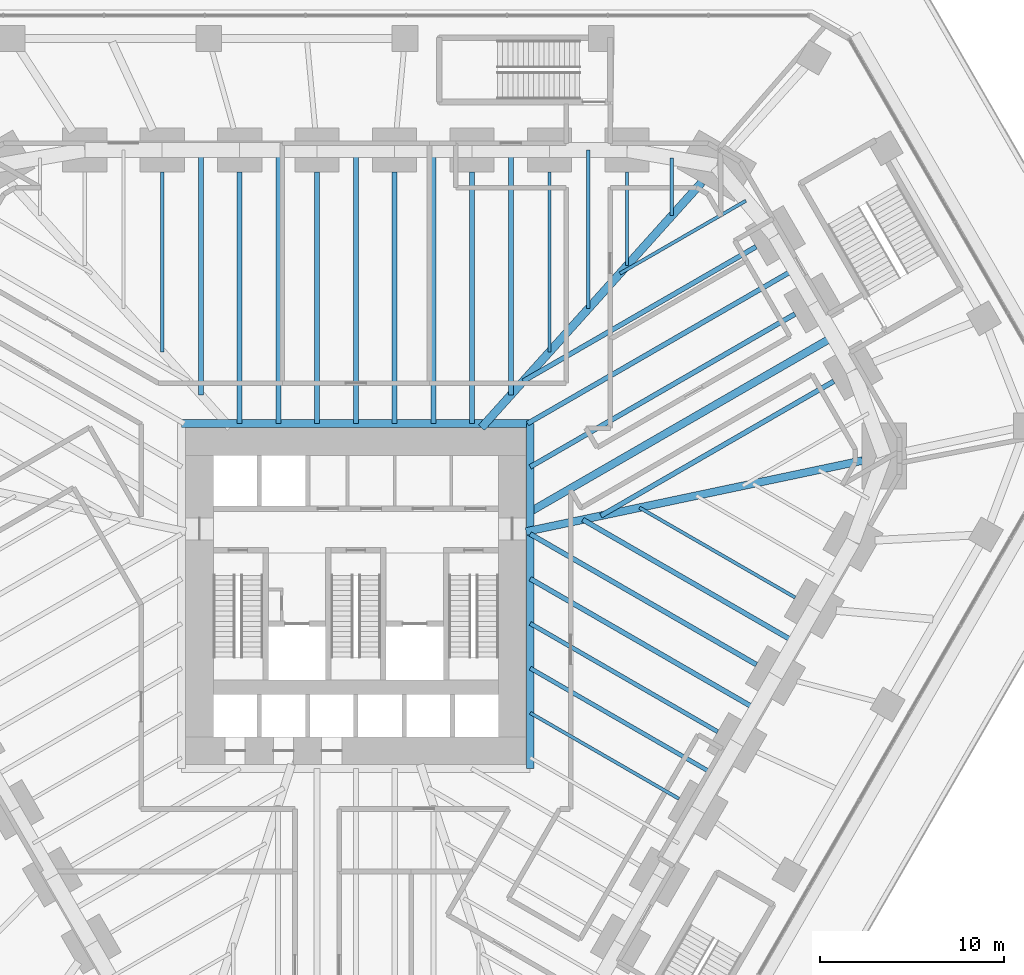
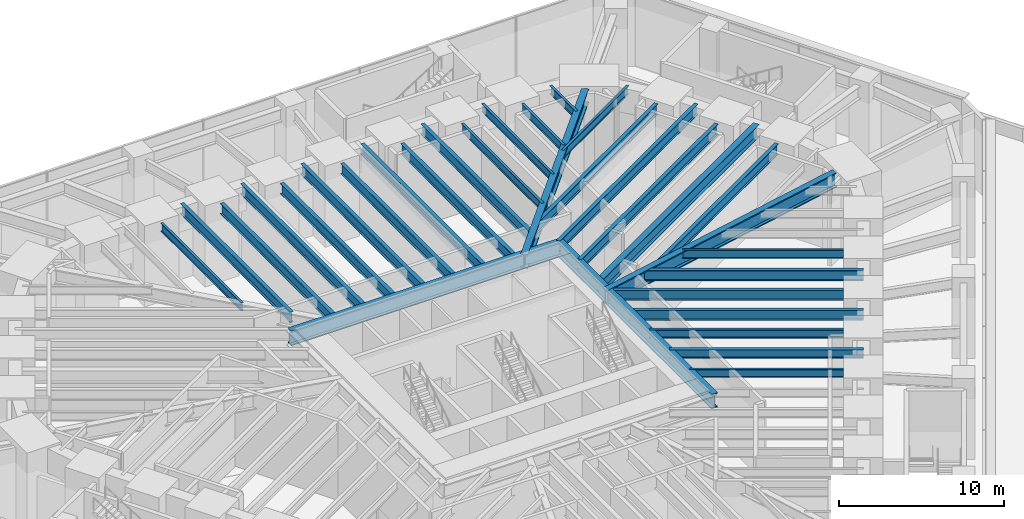
# One storey, part 7 of 24: 31 beams.
"""IFC4 building model written with IfcOpenShell, lengths in metres."""

from ifc_helpers import new_model, si_unit, direction, frame, origin, origin_2d, place, context, subcontext, project, spatial, i_section, extrude, material, material_profile, profile_set, type_object, element, save


model = new_model("IFC4")

# Units and contexts
model_context = context("Model", 3, precision=1e-05, world=origin(), true_north=direction((0.0, 1.0)))
body_context = subcontext(model_context, "Body", "Model", "MODEL_VIEW")
ifc_project = project(units=[si_unit("LENGTHUNIT", "METRE"), si_unit("AREAUNIT", "SQUARE_METRE"), si_unit("VOLUMEUNIT", "CUBIC_METRE"), si_unit("PLANEANGLEUNIT", "RADIAN"), si_unit("MASSUNIT", "GRAM", prefix="KILO")], contexts=[model_context])

# Site, building, storey
site_placement = place(None, origin())
site = spatial("IfcSite", under=ifc_project, at=site_placement, CompositionType="ELEMENT")
building_placement = place(site_placement, origin())
building = spatial("IfcBuilding", under=site, at=building_placement, Name="Sandreach Pilgrim Tower", CompositionType="ELEMENT")
storey_placement = place(building_placement, frame((0.0, 0.0, 12.0)))
storey = spatial("IfcBuildingStorey", under=building, at=storey_placement, Name="L02", CompositionType="ELEMENT", Elevation=12.0)

# Beams
ifc_material_1 = material(Name="Steel ASTM A992 Grade 50", Category="steel")
ifc_material_profile_1 = material_profile(ifc_material_1, i_section(OverallWidth=0.424072265625, OverallDepth=1.09228515625, WebThickness=0.04541015625, FlangeThickness=0.08203125, at=origin_2d()), Name="W40X593")
ifc_profile_set_1 = profile_set([ifc_material_profile_1], Name="Steel ASTM A992 Grade 50")
beam_type_1 = type_object("IfcBeamType", Name="Core edge beam W40X593", PredefinedType="BEAM", material=ifc_profile_set_1)
beam_1_placement = place(storey_placement, frame((-9.47216796875, 7.822021484375, 5.2939453125), z_axis=(1.0, 0.0, 0.0), x_axis=(0.0, 1.0, 0.0)))
element("IfcBeam", 1, at=beam_1_placement, inside=storey, type_object=beam_type_1, Name="BM L02 CEN", PredefinedType="BEAM", context=body_context, shape_type="SweptSolid", body=[
    extrude(i_section(OverallWidth=0.424072265625, OverallDepth=1.09228515625, WebThickness=0.04541015625, FlangeThickness=0.08203125, at=origin_2d()), origin(), (0.0, 0.0, 1.0), 18.9443359375),
])
beam_2_placement = place(storey_placement, frame((9.47216796875, 7.822021484375, 5.2939453125), z_axis=(0.0, -1.0, 0.0), x_axis=(1.0, 0.0, 0.0)))
element("IfcBeam", 2, at=beam_2_placement, inside=storey, type_object=beam_type_1, Name="BM L02 CEE", PredefinedType="BEAM", context=body_context, shape_type="SweptSolid", body=[
    extrude(i_section(OverallWidth=0.424072265625, OverallDepth=1.09228515625, WebThickness=0.04541015625, FlangeThickness=0.08203125, at=origin_2d()), origin(), (0.0, 0.0, 1.0), 18.744140625),
])
ifc_material_2 = material(Name="Steel ASTM A992 Grade 50", Category="steel")
ifc_material_profile_2 = material_profile(ifc_material_2, i_section(OverallWidth=0.447021484375, OverallDepth=1.0439453125, WebThickness=0.050048828125, FlangeThickness=0.08984375, at=origin_2d()), Name="W36X652")
ifc_profile_set_2 = profile_set([ifc_material_profile_2], Name="Steel ASTM A992 Grade 50")
beam_type_2 = type_object("IfcBeamType", Name="Corner girder W36X652", PredefinedType="BEAM", material=ifc_profile_set_2)
beam_3_placement = place(storey_placement, frame((18.8046875, 20.94189453125, 5.318115234375), z_axis=(-0.668127834846, -0.74404650144, 0.0), x_axis=(0.74404650144, -0.668127834846, 0.0)))
element("IfcBeam", 3, at=beam_3_placement, inside=storey, type_object=beam_type_2, Name="BM L02 CG09", PredefinedType="BEAM", context=body_context, shape_type="SweptSolid", body=[
    extrude(i_section(OverallWidth=0.447021484375, OverallDepth=1.0439453125, WebThickness=0.050048828125, FlangeThickness=0.08984375, at=origin_2d()), origin(), (0.0, 0.0, 1.0), 17.931396484375),
])
ifc_material_3 = material(Name="Steel ASTM A992 Grade 50", Category="steel")
ifc_material_profile_3 = material_profile(ifc_material_3, i_section(OverallWidth=0.424072265625, OverallDepth=1.09228515625, WebThickness=0.04541015625, FlangeThickness=0.08203125, at=origin_2d()), Name="W40X593")
ifc_profile_set_3 = profile_set([ifc_material_profile_3], Name="Steel ASTM A992 Grade 50")
beam_type_3 = type_object("IfcBeamType", Name="Corner girder W40X593", PredefinedType="BEAM", material=ifc_profile_set_3)
beam_4_placement = place(storey_placement, frame((27.53857421875, 5.814208984375, 5.2939453125), z_axis=(-0.978429884383, -0.206579189045, 0.0), x_axis=(0.206579189045, -0.978429884383, 0.0)))
element("IfcBeam", 4, at=beam_4_placement, inside=storey, type_object=beam_type_3, Name="BM L02 CG13", PredefinedType="BEAM", context=body_context, shape_type="SweptSolid", body=[
    extrude(i_section(OverallWidth=0.424072265625, OverallDepth=1.09228515625, WebThickness=0.04541015625, FlangeThickness=0.08203125, at=origin_2d()), origin(), (0.0, 0.0, 1.0), 18.691650390625),
])
ifc_material_4 = material(Name="Steel ASTM A992 Grade 50", Category="steel")
ifc_material_profile_4 = material_profile(ifc_material_4, i_section(OverallWidth=0.1787109375, OverallDepth=0.60205078125, WebThickness=0.010986328125, FlangeThickness=0.014892578125, at=origin_2d()), Name="W24X62")
ifc_profile_set_4 = profile_set([ifc_material_profile_4], Name="Steel ASTM A992 Grade 50")
beam_type_4 = type_object("IfcBeamType", Name="Floor beam W24X62", PredefinedType="BEAM", material=ifc_profile_set_4)
for number, where, z_axis, x_axis, name in (
    (5, (-10.52490234375, 21.48876953125, 5.5390625), (0.0, -1.0, 0.0), (1.0, 0.0, 0.0), "BM L02 F02"),
    (6, (10.52490234375, 21.48876953125, 5.5390625), (0.0, -1.0, 0.0), (1.0, 0.0, 0.0), "BM L02 F07"),
):
    element("IfcBeam", number, at=place(storey_placement, frame(where, z_axis=z_axis, x_axis=x_axis)), inside=storey, type_object=beam_type_4, Name=name, PredefinedType="BEAM", context=body_context, shape_type="SweptSolid", body=[
        extrude(i_section(OverallWidth=0.1787109375, OverallDepth=0.60205078125, WebThickness=0.010986328125, FlangeThickness=0.014892578125, at=origin_2d()), origin(), (0.0, 0.0, 1.0), 9.767822265625),
    ])
beam_5_placement = place(storey_placement, frame((14.734619140625, 21.48876953125, 5.5390625), z_axis=(0.0, -1.0, 0.0), x_axis=(1.0, 0.0, 0.0)))
element("IfcBeam", 7, at=beam_5_placement, inside=storey, type_object=beam_type_4, Name="BM L02 F08", PredefinedType="BEAM", context=body_context, shape_type="SweptSolid", body=[
    extrude(i_section(OverallWidth=0.1787109375, OverallDepth=0.60205078125, WebThickness=0.010986328125, FlangeThickness=0.014892578125, at=origin_2d()), origin(), (0.0, 0.0, 1.0), 5.079345703125),
])
beam_6_placement = place(storey_placement, frame((23.8720703125, -1.629638671875, 5.5390625), z_axis=(-0.866025751498, 0.499999397742, 0.0), x_axis=(-0.499999397742, -0.866025751498, 0.0)))
element("IfcBeam", 8, at=beam_6_placement, inside=storey, type_object=beam_type_4, Name="BM L02 F15", PredefinedType="BEAM", context=body_context, shape_type="SweptSolid", body=[
    extrude(i_section(OverallWidth=0.1787109375, OverallDepth=0.60205078125, WebThickness=0.010986328125, FlangeThickness=0.014892578125, at=origin_2d()), origin(), (0.0, 0.0, 1.0), 9.767578125),
])
beam_7_placement = place(storey_placement, frame((17.557373046875, -12.5673828125, 5.5390625), z_axis=(-0.866026636512, 0.499997864846, 0.0), x_axis=(-0.499997864846, -0.866026636512, 0.0)))
element("IfcBeam", 9, at=beam_7_placement, inside=storey, type_object=beam_type_4, Name="BM L02 F18", PredefinedType="BEAM", context=body_context, shape_type="SweptSolid", body=[
    extrude(i_section(OverallWidth=0.1787109375, OverallDepth=0.60205078125, WebThickness=0.010986328125, FlangeThickness=0.014892578125, at=origin_2d()), origin(), (0.0, 0.0, 1.0), 9.3359375),
])
beam_8_placement = place(storey_placement, frame((12.629638671875, 22.688720703125, 5.5390625), z_axis=(0.0, -1.0, 0.0), x_axis=(1.0, 0.0, 0.0)))
element("IfcBeam", 10, at=beam_8_placement, inside=storey, type_object=beam_type_4, Name="BM L02 FM07", PredefinedType="BEAM", context=body_context, shape_type="SweptSolid", body=[
    extrude(i_section(OverallWidth=0.1787109375, OverallDepth=0.60205078125, WebThickness=0.010986328125, FlangeThickness=0.014892578125, at=origin_2d()), origin(), (0.0, 0.0, 1.0), 8.62353515625),
])
beam_9_placement = place(storey_placement, frame((17.17041015625, 22.26171875, 5.5390625), z_axis=(0.0, -1.0, 0.0), x_axis=(1.0, 0.0, 0.0)))
element("IfcBeam", 11, at=beam_9_placement, inside=storey, type_object=beam_type_4, Name="BM L02 FM08", PredefinedType="BEAM", context=body_context, shape_type="SweptSolid", body=[
    extrude(i_section(OverallWidth=0.1787109375, OverallDepth=0.60205078125, WebThickness=0.010986328125, FlangeThickness=0.014892578125, at=origin_2d()), origin(), (0.0, 0.0, 1.0), 3.1396484375),
])
beam_10_placement = place(storey_placement, frame((21.197021484375, 19.933349609375, 5.5390625), z_axis=(-0.866028778003, -0.499994155636, 0.0), x_axis=(0.499994155636, -0.866028778003, 0.0)))
element("IfcBeam", 12, at=beam_10_placement, inside=storey, type_object=beam_type_4, Name="BM L02 FM09", PredefinedType="BEAM", context=body_context, shape_type="SweptSolid", body=[
    extrude(i_section(OverallWidth=0.1787109375, OverallDepth=0.60205078125, WebThickness=0.010986328125, FlangeThickness=0.014892578125, at=origin_2d()), origin(), (0.0, 0.0, 1.0), 7.90771484375),
])
ifc_material_5 = material(Name="Steel ASTM A992 Grade 50", Category="steel")
ifc_material_profile_5 = material_profile(ifc_material_5, i_section(OverallWidth=0.23046875, OverallDepth=0.6171875, WebThickness=0.01318359375, FlangeThickness=0.022216796875, at=origin_2d()), Name="W24X94")
ifc_profile_set_5 = profile_set([ifc_material_profile_5], Name="Steel ASTM A992 Grade 50")
beam_type_5 = type_object("IfcBeamType", Name="Floor beam W24X94", PredefinedType="BEAM", material=ifc_profile_set_5)
beam_11_placement = place(storey_placement, frame((19.662353515625, -8.92138671875, 5.531494140625), z_axis=(-0.866025609399, 0.499999643865, 0.0), x_axis=(-0.499999643865, -0.866025609399, 0.0)))
element("IfcBeam", 13, at=beam_11_placement, inside=storey, type_object=beam_type_5, Name="BM L02 F17", PredefinedType="BEAM", context=body_context, shape_type="SweptSolid", body=[
    extrude(i_section(OverallWidth=0.23046875, OverallDepth=0.6171875, WebThickness=0.01318359375, FlangeThickness=0.022216796875, at=origin_2d()), origin(), (0.0, 0.0, 1.0), 11.7666015625),
])
beam_12_placement = place(storey_placement, frame((19.64892578125, -11.34423828125, 5.531494140625), z_axis=(-0.866027820364, 0.499995814338, 0.0), x_axis=(-0.499995814338, -0.866027820364, 0.0)))
element("IfcBeam", 14, at=beam_12_placement, inside=storey, type_object=beam_type_5, Name="BM L02 FM17", PredefinedType="BEAM", context=body_context, shape_type="SweptSolid", body=[
    extrude(i_section(OverallWidth=0.23046875, OverallDepth=0.6171875, WebThickness=0.01318359375, FlangeThickness=0.022216796875, at=origin_2d()), origin(), (0.0, 0.0, 1.0), 11.7509765625),
])
ifc_material_6 = material(Name="Steel ASTM A992 Grade 50", Category="steel")
ifc_material_profile_6 = material_profile(ifc_material_6, i_section(OverallWidth=0.2666015625, OverallDepth=0.761962890625, WebThickness=0.014404296875, FlangeThickness=0.021484375, at=origin_2d()), Name="W30X116")
ifc_profile_set_6 = profile_set([ifc_material_profile_6], Name="Steel ASTM A992 Grade 50")
beam_type_6 = type_object("IfcBeamType", Name="Floor beam W30X116", PredefinedType="BEAM", material=ifc_profile_set_6)
for number, where, z_axis, x_axis, name in (
    (15, (-6.31494140625, 21.48876953125, 5.458984375), (0.0, -1.0, 0.0), (1.0, 0.0, 0.0), "BM L02 F03"),
    (16, (-2.10498046875, 21.48876953125, 5.458984375), (0.0, -1.0, 0.0), (1.0, 0.0, 0.0), "BM L02 F04"),
    (17, (2.10498046875, 21.48876953125, 5.458984375), (0.0, -1.0, 0.0), (1.0, 0.0, 0.0), "BM L02 F05"),
    (18, (6.31494140625, 21.48876953125, 5.458984375), (0.0, -1.0, 0.0), (1.0, 0.0, 0.0), "BM L02 F06"),
):
    element("IfcBeam", number, at=place(storey_placement, frame(where, z_axis=z_axis, x_axis=x_axis)), inside=storey, type_object=beam_type_6, Name=name, PredefinedType="BEAM", context=body_context, shape_type="SweptSolid", body=[
        extrude(i_section(OverallWidth=0.2666015625, OverallDepth=0.761962890625, WebThickness=0.014404296875, FlangeThickness=0.021484375, at=origin_2d()), origin(), (0.0, 0.0, 1.0), 13.666748046875),
    ])
for number, where, z_axis, x_axis, name in (
    (19, (21.74853515625, 17.43212890625, 5.458984375), (-0.866020355572, -0.500008743658, 0.0), (0.500008743658, -0.866020355572, 0.0), "BM L02 F10"),
    (20, (25.970947265625, 10.118896484375, 5.458984375), (-0.866020355572, -0.500008743658, 0.0), (0.500008743658, -0.866020355572, 0.0), "BM L02 F12"),
):
    element("IfcBeam", number, at=place(storey_placement, frame(where, z_axis=z_axis, x_axis=x_axis)), inside=storey, type_object=beam_type_6, Name=name, PredefinedType="BEAM", context=body_context, shape_type="SweptSolid", body=[
        extrude(i_section(OverallWidth=0.2666015625, OverallDepth=0.761962890625, WebThickness=0.014404296875, FlangeThickness=0.021484375, at=origin_2d()), origin(), (0.0, 0.0, 1.0), 14.615966796875),
    ])
beam_13_placement = place(storey_placement, frame((21.76708984375, -5.275390625, 5.458984375), z_axis=(-0.866028081176, 0.499995362593, 0.0), x_axis=(-0.499995362593, -0.866028081176, 0.0)))
element("IfcBeam", 21, at=beam_13_placement, inside=storey, type_object=beam_type_6, Name="BM L02 F16", PredefinedType="BEAM", context=body_context, shape_type="SweptSolid", body=[
    extrude(i_section(OverallWidth=0.2666015625, OverallDepth=0.761962890625, WebThickness=0.014404296875, FlangeThickness=0.021484375, at=origin_2d()), origin(), (0.0, 0.0, 1.0), 14.197021484375),
])
beam_14_placement = place(storey_placement, frame((-8.419921875, 22.688720703125, 5.458984375), z_axis=(0.0, -1.0, 0.0), x_axis=(1.0, 0.0, 0.0)))
element("IfcBeam", 22, at=beam_14_placement, inside=storey, type_object=beam_type_6, Name="BM L02 FM02", PredefinedType="BEAM", context=body_context, shape_type="SweptSolid", body=[
    extrude(i_section(OverallWidth=0.2666015625, OverallDepth=0.761962890625, WebThickness=0.014404296875, FlangeThickness=0.021484375, at=origin_2d()), origin(), (0.0, 0.0, 1.0), 13.311767578125),
])
for number, where, z_axis, x_axis, name in (
    (23, (-4.2099609375, 22.688720703125, 5.458984375), (0.0, -1.0, 0.0), (1.0, 0.0, 0.0), "BM L02 FM03"),
    (24, (0.0, 22.688720703125, 5.458984375), (0.0, -1.0, 0.0), (1.0, 0.0, 0.0), "BM L02 FM04"),
    (25, (4.2099609375, 22.688720703125, 5.458984375), (0.0, -1.0, 0.0), (1.0, 0.0, 0.0), "BM L02 FM05"),
):
    element("IfcBeam", number, at=place(storey_placement, frame(where, z_axis=z_axis, x_axis=x_axis)), inside=storey, type_object=beam_type_6, Name=name, PredefinedType="BEAM", context=body_context, shape_type="SweptSolid", body=[
        extrude(i_section(OverallWidth=0.2666015625, OverallDepth=0.761962890625, WebThickness=0.014404296875, FlangeThickness=0.021484375, at=origin_2d()), origin(), (0.0, 0.0, 1.0), 14.86669921875),
    ])
for number, where, z_axis, x_axis, name in (
    (26, (8.419921875, 22.688720703125, 5.458984375), (0.0, -1.0, 0.0), (1.0, 0.0, 0.0), "BM L02 FM06"),
    (27, (23.85888671875, -4.052490234375, 5.458984375), (-0.866029213426, 0.499993401449, 0.0), (-0.499993401449, -0.866029213426, 0.0), "BM L02 FM15"),
):
    element("IfcBeam", number, at=place(storey_placement, frame(where, z_axis=z_axis, x_axis=x_axis)), inside=storey, type_object=beam_type_6, Name=name, PredefinedType="BEAM", context=body_context, shape_type="SweptSolid", body=[
        extrude(i_section(OverallWidth=0.2666015625, OverallDepth=0.761962890625, WebThickness=0.014404296875, FlangeThickness=0.021484375, at=origin_2d()), origin(), (0.0, 0.0, 1.0), 13.311767578125),
    ])
beam_15_placement = place(storey_placement, frame((21.75390625, -7.698486328125, 5.458984375), z_axis=(-0.866019310865, 0.500010553097, 0.0), x_axis=(-0.500010553097, -0.866019310865, 0.0)))
element("IfcBeam", 28, at=beam_15_placement, inside=storey, type_object=beam_type_6, Name="BM L02 FM16", PredefinedType="BEAM", context=body_context, shape_type="SweptSolid", body=[
    extrude(i_section(OverallWidth=0.2666015625, OverallDepth=0.761962890625, WebThickness=0.014404296875, FlangeThickness=0.021484375, at=origin_2d()), origin(), (0.0, 0.0, 1.0), 14.181884765625),
])
ifc_material_7 = material(Name="Steel ASTM A992 Grade 50", Category="steel")
ifc_material_profile_7 = material_profile(ifc_material_7, i_section(OverallWidth=0.2666015625, OverallDepth=0.77978515625, WebThickness=0.0166015625, FlangeThickness=0.030029296875, at=origin_2d()), Name="W30X148")
ifc_profile_set_7 = profile_set([ifc_material_profile_7], Name="Steel ASTM A992 Grade 50")
beam_type_7 = type_object("IfcBeamType", Name="Floor beam W30X148", PredefinedType="BEAM", material=ifc_profile_set_7)
beam_16_placement = place(storey_placement, frame((23.85986328125, 13.775390625, 5.4501953125), z_axis=(-0.866027987673, -0.499995524547, 0.0), x_axis=(0.499995524547, -0.866027987673, 0.0)))
element("IfcBeam", 29, at=beam_16_placement, inside=storey, type_object=beam_type_7, Name="BM L02 F11", PredefinedType="BEAM", context=body_context, shape_type="SweptSolid", body=[
    extrude(i_section(OverallWidth=0.2666015625, OverallDepth=0.77978515625, WebThickness=0.0166015625, FlangeThickness=0.030029296875, at=origin_2d()), origin(), (0.0, 0.0, 1.0), 16.613525390625),
])
beam_17_placement = place(storey_placement, frame((23.843505859375, 16.203857421875, 5.4501953125), z_axis=(-0.866022606334, -0.500004845295, 0.0), x_axis=(0.500004845295, -0.866022606334, 0.0)))
element("IfcBeam", 30, at=beam_17_placement, inside=storey, type_object=beam_type_7, Name="BM L02 FM10", PredefinedType="BEAM", context=body_context, shape_type="SweptSolid", body=[
    extrude(i_section(OverallWidth=0.2666015625, OverallDepth=0.77978515625, WebThickness=0.0166015625, FlangeThickness=0.030029296875, at=origin_2d()), origin(), (0.0, 0.0, 1.0), 16.763427734375),
])
ifc_material_8 = material(Name="Steel ASTM A992 Grade 50", Category="steel")
ifc_material_profile_8 = material_profile(ifc_material_8, i_section(OverallWidth=0.419189453125, OverallDepth=0.927001953125, WebThickness=0.019287109375, FlangeThickness=0.031982421875, at=origin_2d()), Name="W36X231")
ifc_profile_set_8 = profile_set([ifc_material_profile_8], Name="Steel ASTM A992 Grade 50")
beam_type_8 = type_object("IfcBeamType", Name="Floor beam W36X231", PredefinedType="BEAM", material=ifc_profile_set_8)
beam_18_placement = place(storey_placement, frame((25.95458984375, 12.547119140625, 5.37646484375), z_axis=(-0.866025800233, -0.499999313329, 0.0), x_axis=(0.499999313329, -0.866025800233, 0.0)))
element("IfcBeam", 31, at=beam_18_placement, inside=storey, type_object=beam_type_8, Name="BM L02 FM11", PredefinedType="BEAM", context=body_context, shape_type="SweptSolid", body=[
    extrude(i_section(OverallWidth=0.419189453125, OverallDepth=0.927001953125, WebThickness=0.019287109375, FlangeThickness=0.031982421875, at=origin_2d()), origin(), (0.0, 0.0, 1.0), 19.0322265625),
])

save(model, "model.ifc")
